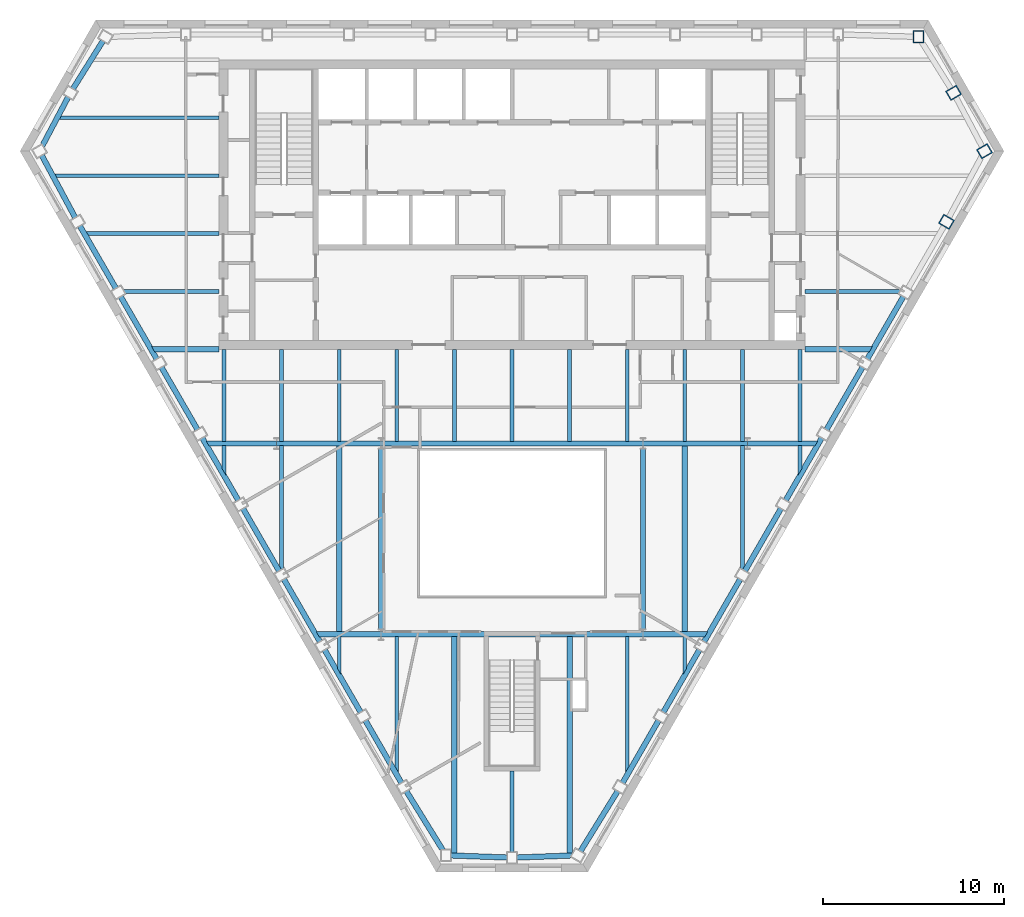
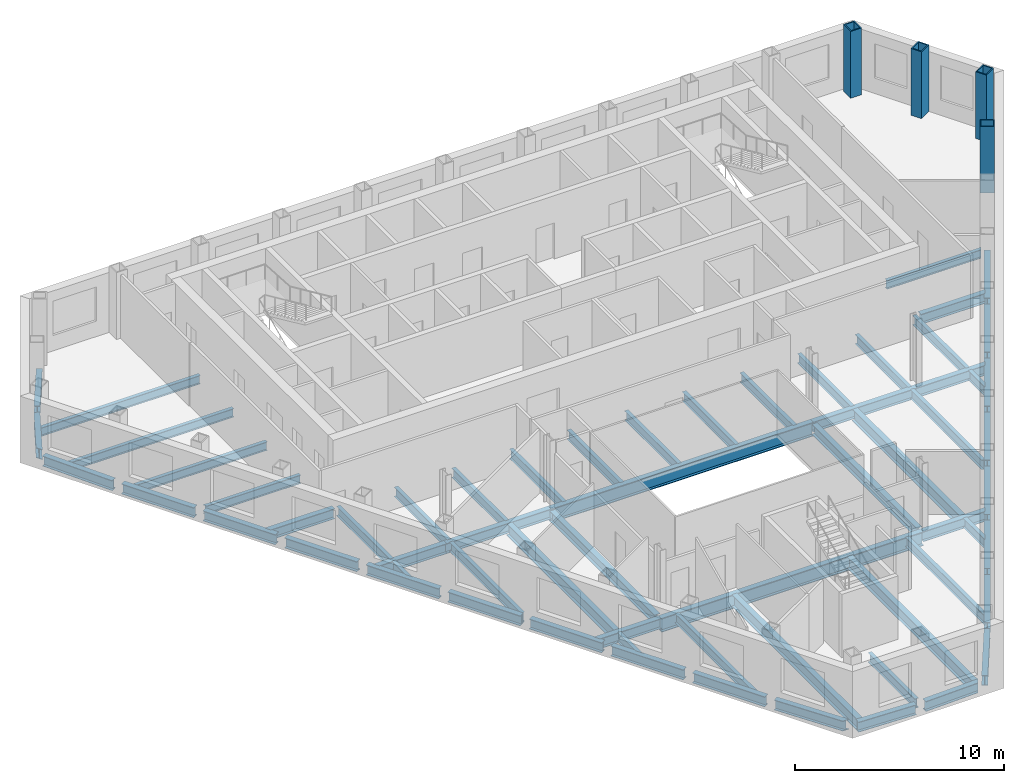
# One storey, part 2 of 10: 63 beams, 4 columns.
"""IFC4 building model written with IfcOpenShell, lengths in metres."""

from ifc_helpers import new_model, si_unit, direction, frame, origin, origin_2d, place, context, subcontext, project, spatial, hollow_rectangle, i_section, extrude, clip, halfspace, material, material_profile, profile_set, type_object, element, save


model = new_model("IFC4")

# Units and contexts
model_context = context("Model", 3, precision=1e-05, world=origin(), true_north=direction((0.0, 1.0)))
body_context = subcontext(model_context, "Body", "Model", "MODEL_VIEW")
ifc_project = project(units=[si_unit("LENGTHUNIT", "METRE"), si_unit("AREAUNIT", "SQUARE_METRE"), si_unit("VOLUMEUNIT", "CUBIC_METRE"), si_unit("PLANEANGLEUNIT", "RADIAN"), si_unit("MASSUNIT", "GRAM", prefix="KILO")], contexts=[model_context])

# Site, building, storey
site_placement = place(None, origin())
site = spatial("IfcSite", under=ifc_project, at=site_placement, CompositionType="ELEMENT")
building_placement = place(site_placement, origin())
building = spatial("IfcBuilding", under=site, at=building_placement, Name="Njiva Tower", CompositionType="ELEMENT")
storey_placement = place(building_placement, frame((0.0, 0.0, 167.1)))
storey = spatial("IfcBuildingStorey", under=building, at=storey_placement, Name="L36", CompositionType="ELEMENT", Elevation=167.1)

# Columns
ifc_material = material(Name="Steel S355 J2", Category="steel")
ifc_material_profile_1 = material_profile(ifc_material, hollow_rectangle(XDim=0.6, YDim=0.7, WallThickness=0.06, at=origin_2d()), Name="BOX 700x600x60")
ifc_profile_set_1 = profile_set([ifc_material_profile_1], Name="Steel S355 J2")
column_type = type_object("IfcColumnType", Name="C9 Perimeter tube column BOX 700x600x60", PredefinedType="COLUMN", material=ifc_profile_set_1)
for number, where, z_axis, x_axis, name in (
    (1, (22.461, 19.267, 0.0), (0.0, 0.0, 1.0), (-1.0, 0.0, 0.0), "Perimeter tube column S12-C01"),
    (2, (24.007, 9.048, 0.0), (0.0, 0.0, 1.0), (0.5, 0.866025403784, 0.0), "Perimeter tube column S12-C34"),
    (3, (26.108, 12.951, 0.0), (0.0, 0.0, 1.0), (-0.5, 0.866025403784, 0.0), "Perimeter tube column S12-C35"),
    (4, (24.4, 16.176, 0.0), (0.0, 0.0, 1.0), (-0.5, 0.866025403784, 0.0), "Perimeter tube column S12-C36"),
):
    element("IfcColumn", number, at=place(storey_placement, frame(where, z_axis=z_axis, x_axis=x_axis)), inside=storey, type_object=column_type, Name=name, PredefinedType="COLUMN", context=body_context, shape_type="SweptSolid", body=[
        extrude(hollow_rectangle(XDim=0.6, YDim=0.7, WallThickness=0.06, at=origin_2d()), origin(), (0.0, 0.0, 1.0), 3.9),
    ])

# Beams
ifc_material_profile_2 = material_profile(ifc_material, i_section(OverallWidth=0.3, OverallDepth=0.69, WebThickness=0.0145, FlangeThickness=0.027, at=origin_2d()), Name="HEA 700")
ifc_profile_set_2 = profile_set([ifc_material_profile_2], Name="Steel S355 J2")
beam_type_1 = type_object("IfcBeamType", Name="B12 Long-span floor joist HEA 700", PredefinedType="JOIST", material=ifc_profile_set_2)
beam_1_placement = place(storey_placement, frame((-9.55, -3.3, -0.545), z_axis=(0.0, -1.0, 0.0), x_axis=(1.0, 0.0, 0.0)))
element("IfcBeam", 5, at=beam_1_placement, inside=storey, type_object=beam_type_1, Name="Long-span floor joist S12-B057", PredefinedType="JOIST", context=body_context, shape_type="SweptSolid", body=[
    extrude(i_section(OverallWidth=0.3, OverallDepth=0.69, WebThickness=0.0145, FlangeThickness=0.027, at=origin_2d()), origin(), (0.0, 0.0, 1.0), 10.35),
])
for number, where, z_axis, x_axis, name in (
    (6, (-3.183, -13.851, -0.545), (0.0, -1.0, 0.0), (1.0, 0.0, 0.0), "Long-span floor joist S12-B061"),
    (7, (3.183, -13.851, -0.545), (0.0, -1.0, 0.0), (1.0, 0.0, 0.0), "Long-span floor joist S12-B066"),
):
    element("IfcBeam", number, at=place(storey_placement, frame(where, z_axis=z_axis, x_axis=x_axis)), inside=storey, type_object=beam_type_1, Name=name, PredefinedType="JOIST", context=body_context, shape_type="SweptSolid", body=[
        extrude(i_section(OverallWidth=0.3, OverallDepth=0.69, WebThickness=0.0145, FlangeThickness=0.027, at=origin_2d()), origin(), (0.0, 0.0, 1.0), 12.016),
    ])
beam_2_placement = place(storey_placement, frame((9.55, -3.3, -0.545), z_axis=(0.0, -1.0, 0.0), x_axis=(1.0, 0.0, 0.0)))
element("IfcBeam", 8, at=beam_2_placement, inside=storey, type_object=beam_type_1, Name="Long-span floor joist S12-B071", PredefinedType="JOIST", context=body_context, shape_type="SweptSolid", body=[
    extrude(i_section(OverallWidth=0.3, OverallDepth=0.69, WebThickness=0.0145, FlangeThickness=0.027, at=origin_2d()), origin(), (0.0, 0.0, 1.0), 10.35),
])
ifc_material_profile_3 = material_profile(ifc_material, i_section(OverallWidth=0.2, OverallDepth=0.5, WebThickness=0.0102, FlangeThickness=0.016, at=origin_2d()), Name="IPE 500")
ifc_profile_set_3 = profile_set([ifc_material_profile_3], Name="Steel S355 J2")
beam_type_2 = type_object("IfcBeamType", Name="B24 Floor beam to the core IPE 500", PredefinedType="BEAM", material=ifc_profile_set_3)
beam_3_placement = place(storey_placement, frame((-21.518, 5.2, -0.45), z_axis=(1.0, 0.0, 0.0), x_axis=(0.0, 1.0, 0.0)))
element("IfcBeam", 9, at=beam_3_placement, inside=storey, type_object=beam_type_2, Name="Floor beam to the core S12-B006", PredefinedType="BEAM", context=body_context, shape_type="Clipping", body=[
    clip(extrude(i_section(OverallWidth=0.2, OverallDepth=0.5, WebThickness=0.0102, FlangeThickness=0.016, at=origin_2d()), origin(), (0.0, 0.0, 1.0), 5.318), halfspace(frame((-0.025, 0.0, 0.0925), z_axis=(-0.499998009787, 0.0, -0.866026552831), x_axis=(0.0, -1.0, 0.0)), False)),
])
beam_4_placement = place(storey_placement, frame((16.2, 5.2, -0.45), z_axis=(1.0, 0.0, 0.0), x_axis=(0.0, 1.0, 0.0)))
element("IfcBeam", 10, at=beam_4_placement, inside=storey, type_object=beam_type_2, Name="Floor beam to the core S12-B007", PredefinedType="BEAM", context=body_context, shape_type="Clipping", body=[
    clip(extrude(i_section(OverallWidth=0.2, OverallDepth=0.5, WebThickness=0.0102, FlangeThickness=0.016, at=origin_2d()), origin(), (0.0, 0.0, 1.0), 5.318), halfspace(frame((-0.025, 0.0, 5.2255), z_axis=(-0.499998009787, 0.0, 0.866026552831), x_axis=(0.0, 1.0, 0.0)), False)),
])
beam_5_placement = place(storey_placement, frame((-23.596, 8.4, -0.45), z_axis=(1.0, 0.0, 0.0), x_axis=(0.0, 1.0, 0.0)))
element("IfcBeam", 11, at=beam_5_placement, inside=storey, type_object=beam_type_2, Name="Floor beam to the core S12-B003", PredefinedType="BEAM", context=body_context, shape_type="Clipping", body=[
    clip(extrude(i_section(OverallWidth=0.2, OverallDepth=0.5, WebThickness=0.0102, FlangeThickness=0.016, at=origin_2d()), origin(), (0.0, 0.0, 1.0), 7.396), halfspace(frame((-0.025, 0.0, 0.0924), z_axis=(-0.499998009787, 0.0, -0.866026552831), x_axis=(0.0, -1.0, 0.0)), False)),
])
beam_6_placement = place(storey_placement, frame((-25.341, 11.6, -0.45), z_axis=(1.0, 0.0, 0.0), x_axis=(0.0, 1.0, 0.0)))
element("IfcBeam", 12, at=beam_6_placement, inside=storey, type_object=beam_type_2, Name="Floor beam to the core S12-B001", PredefinedType="BEAM", context=body_context, shape_type="Clipping", body=[
    clip(extrude(i_section(OverallWidth=0.2, OverallDepth=0.5, WebThickness=0.0102, FlangeThickness=0.016, at=origin_2d()), origin(), (0.0, 0.0, 1.0), 9.141), halfspace(frame((-0.0237, 0.0, 0.0868), z_axis=(-0.473769423091, 0.0, -0.880648927634), x_axis=(0.0, -1.0, 0.0)), False)),
])
beam_7_placement = place(storey_placement, frame((-25.088, 14.8, -0.45), z_axis=(1.0, 0.0, 0.0), x_axis=(0.0, 1.0, 0.0)))
element("IfcBeam", 13, at=beam_7_placement, inside=storey, type_object=beam_type_2, Name="Floor beam to the core S12-B002", PredefinedType="BEAM", context=body_context, shape_type="Clipping", body=[
    clip(extrude(i_section(OverallWidth=0.2, OverallDepth=0.5, WebThickness=0.0102, FlangeThickness=0.016, at=origin_2d()), origin(), (0.0, 0.0, 1.0), 8.888), halfspace(frame((0.0234, 0.0, 0.0852), z_axis=(0.468070575493, 0.0, -0.883691086499), x_axis=(0.0, -1.0, 0.0)), False)),
])
ifc_material_profile_4 = material_profile(ifc_material, i_section(OverallWidth=0.3, OverallDepth=0.59, WebThickness=0.013, FlangeThickness=0.025, at=origin_2d()), Name="HEA 600")
ifc_profile_set_4 = profile_set([ifc_material_profile_4], Name="Steel S355 J2")
beam_type_3 = type_object("IfcBeamType", Name="B27 Short-span spandrel beam HEA 600", PredefinedType="SPANDREL", material=ifc_profile_set_4)
beam_8_placement = place(storey_placement, frame((-22.597, 19.051, -0.495), z_axis=(-0.531172745226, -0.847263545025, 0.0), x_axis=(0.847263545025, -0.531172745226, 0.0)))
element("IfcBeam", 14, at=beam_8_placement, inside=storey, type_object=beam_type_3, Name="Short-span spandrel beam S12-B090", PredefinedType="SPANDREL", context=body_context, shape_type="SweptSolid", body=[
    extrude(i_section(OverallWidth=0.3, OverallDepth=0.59, WebThickness=0.013, FlangeThickness=0.025, at=origin_2d()), origin(), (0.0, 0.0, 1.0), 3.1383),
])
beam_9_placement = place(storey_placement, frame((-24.519, 15.951, -0.495), z_axis=(-0.468008604857, -0.883723908118, 0.0), x_axis=(0.883723908118, -0.468008604857, 0.0)))
element("IfcBeam", 15, at=beam_9_placement, inside=storey, type_object=beam_type_3, Name="Short-span spandrel beam S12-B087", PredefinedType="SPANDREL", context=body_context, shape_type="Clipping", body=[
    clip(extrude(i_section(OverallWidth=0.3, OverallDepth=0.59, WebThickness=0.013, FlangeThickness=0.025, at=origin_2d()), origin(), (0.0, 0.0, 1.0), 3.1545), halfspace(frame((-0.0265, 0.0, 3.0243), z_axis=(-0.53132499881, 0.0, 0.84716807402), x_axis=(0.0, 1.0, 0.0)), False)),
])
beam_10_placement = place(storey_placement, frame((-25.987, 12.728, -0.495), z_axis=(0.473613588101, -0.880732745597, 0.0), x_axis=(0.880732745597, 0.473613588101, 0.0)))
element("IfcBeam", 16, at=beam_10_placement, inside=storey, type_object=beam_type_3, Name="Short-span spandrel beam S12-B086", PredefinedType="SPANDREL", context=body_context, shape_type="SweptSolid", body=[
    extrude(i_section(OverallWidth=0.3, OverallDepth=0.59, WebThickness=0.013, FlangeThickness=0.025, at=origin_2d()), origin(), (0.0, 0.0, 1.0), 3.9251),
])
beam_11_placement = place(storey_placement, frame((-23.882, 8.831, -0.495), z_axis=(0.499924104568, -0.866069217599, 0.0), x_axis=(0.866069217599, 0.499924104568, 0.0)))
element("IfcBeam", 17, at=beam_11_placement, inside=storey, type_object=beam_type_3, Name="Short-span spandrel beam S12-B091", PredefinedType="SPANDREL", context=body_context, shape_type="SweptSolid", body=[
    extrude(i_section(OverallWidth=0.3, OverallDepth=0.59, WebThickness=0.013, FlangeThickness=0.025, at=origin_2d()), origin(), (0.0, 0.0, 1.0), 4.0066),
])
for number, where, z_axis, x_axis, name in (
    (18, (-21.629, 4.928, -0.495), (0.500003221507, -0.866023543838, 0.0), (0.866023543838, 0.500003221507, 0.0), "Short-span spandrel beam S12-B095"),
    (19, (-19.375, 1.024, -0.495), (0.500003221507, -0.866023543838, 0.0), (0.866023543838, 0.500003221507, 0.0), "Short-span spandrel beam S12-B097"),
    (20, (-17.121, -2.88, -0.495), (0.500003221507, -0.866023543838, 0.0), (0.866023543838, 0.500003221507, 0.0), "Short-span spandrel beam S12-B100"),
    (21, (-14.867, -6.784, -0.495), (0.500003221507, -0.866023543838, 0.0), (0.866023543838, 0.500003221507, 0.0), "Short-span spandrel beam S12-B102"),
):
    element("IfcBeam", number, at=place(storey_placement, frame(where, z_axis=z_axis, x_axis=x_axis)), inside=storey, type_object=beam_type_3, Name=name, PredefinedType="SPANDREL", context=body_context, shape_type="SweptSolid", body=[
        extrude(i_section(OverallWidth=0.3, OverallDepth=0.59, WebThickness=0.013, FlangeThickness=0.025, at=origin_2d()), origin(), (0.0, 0.0, 1.0), 4.008),
    ])
beam_12_placement = place(storey_placement, frame((-12.613, -10.688, -0.495), z_axis=(0.499924104568, -0.866069217599, 0.0), x_axis=(0.866069217599, 0.499924104568, 0.0)))
element("IfcBeam", 22, at=beam_12_placement, inside=storey, type_object=beam_type_3, Name="Short-span spandrel beam S12-B105", PredefinedType="SPANDREL", context=body_context, shape_type="SweptSolid", body=[
    extrude(i_section(OverallWidth=0.3, OverallDepth=0.59, WebThickness=0.013, FlangeThickness=0.025, at=origin_2d()), origin(), (0.0, 0.0, 1.0), 4.0066),
])
beam_13_placement = place(storey_placement, frame((-10.36, -14.591, -0.495), z_axis=(0.500003221507, -0.866023543838, 0.0), x_axis=(0.866023543838, 0.500003221507, 0.0)))
element("IfcBeam", 23, at=beam_13_placement, inside=storey, type_object=beam_type_3, Name="Short-span spandrel beam S12-B107", PredefinedType="SPANDREL", context=body_context, shape_type="SweptSolid", body=[
    extrude(i_section(OverallWidth=0.3, OverallDepth=0.59, WebThickness=0.013, FlangeThickness=0.025, at=origin_2d()), origin(), (0.0, 0.0, 1.0), 4.008),
])
beam_14_placement = place(storey_placement, frame((-8.106, -18.494, -0.495), z_axis=(0.499895202697, -0.866085900082, 0.0), x_axis=(0.866085900082, 0.499895202697, 0.0)))
element("IfcBeam", 24, at=beam_14_placement, inside=storey, type_object=beam_type_3, Name="Short-span spandrel beam S12-B111", PredefinedType="SPANDREL", context=body_context, shape_type="SweptSolid", body=[
    extrude(i_section(OverallWidth=0.3, OverallDepth=0.59, WebThickness=0.013, FlangeThickness=0.025, at=origin_2d()), origin(), (0.0, 0.0, 1.0), 4.0088),
])
beam_15_placement = place(storey_placement, frame((-5.844, -22.398, -0.495), z_axis=(0.525787720345, -0.850615819941, 0.0), x_axis=(0.850615819941, 0.525787720345, 0.0)))
element("IfcBeam", 25, at=beam_15_placement, inside=storey, type_object=beam_type_3, Name="Short-span spandrel beam S12-B113", PredefinedType="SPANDREL", context=body_context, shape_type="Clipping", body=[
    clip(extrude(i_section(OverallWidth=0.3, OverallDepth=0.59, WebThickness=0.013, FlangeThickness=0.025, at=origin_2d()), origin(), (0.0, 0.0, 1.0), 3.9396), halfspace(frame((-0.0259, 0.0, 3.8107), z_axis=(-0.525787720345, 0.0, 0.850615819941), x_axis=(0.0, 1.0, 0.0)), False)),
])
beam_16_placement = place(storey_placement, frame((-3.391, -25.962, -0.495), z_axis=(0.999328299253, -0.036646286484, 0.0), x_axis=(0.036646286484, 0.999328299253, 0.0)))
element("IfcBeam", 26, at=beam_16_placement, inside=storey, type_object=beam_type_3, Name="Short-span spandrel beam S12-B117", PredefinedType="SPANDREL", context=body_context, shape_type="SweptSolid", body=[
    extrude(i_section(OverallWidth=0.3, OverallDepth=0.59, WebThickness=0.013, FlangeThickness=0.025, at=origin_2d()), origin(), (0.0, 0.0, 1.0), 3.1381),
])
beam_17_placement = place(storey_placement, frame((0.255, -26.077, -0.495), z_axis=(0.999332745469, 0.036524838573, 0.0), x_axis=(-0.036524838573, 0.999332745469, 0.0)))
element("IfcBeam", 27, at=beam_17_placement, inside=storey, type_object=beam_type_3, Name="Short-span spandrel beam S12-B118", PredefinedType="SPANDREL", context=body_context, shape_type="Clipping", body=[
    clip(extrude(i_section(OverallWidth=0.3, OverallDepth=0.59, WebThickness=0.013, FlangeThickness=0.025, at=origin_2d()), origin(), (0.0, 0.0, 1.0), 3.153), halfspace(frame((-0.0262, 0.0, 3.0227), z_axis=(-0.531295863892, 0.0, 0.847186346096), x_axis=(0.0, 1.0, 0.0)), False)),
])
beam_18_placement = place(storey_placement, frame((3.78, -25.737, -0.495), z_axis=(0.525801990436, 0.850606999062, 0.0), x_axis=(-0.850606999062, 0.525801990436, 0.0)))
element("IfcBeam", 28, at=beam_18_placement, inside=storey, type_object=beam_type_3, Name="Short-span spandrel beam S12-B122", PredefinedType="SPANDREL", context=body_context, shape_type="SweptSolid", body=[
    extrude(i_section(OverallWidth=0.3, OverallDepth=0.59, WebThickness=0.013, FlangeThickness=0.025, at=origin_2d()), origin(), (0.0, 0.0, 1.0), 3.9254),
])
beam_19_placement = place(storey_placement, frame((6.102, -21.966, -0.495), z_axis=(0.499895202697, 0.866085900082, 0.0), x_axis=(-0.866085900082, 0.499895202697, 0.0)))
element("IfcBeam", 29, at=beam_19_placement, inside=storey, type_object=beam_type_3, Name="Short-span spandrel beam S12-B126", PredefinedType="SPANDREL", context=body_context, shape_type="SweptSolid", body=[
    extrude(i_section(OverallWidth=0.3, OverallDepth=0.59, WebThickness=0.013, FlangeThickness=0.025, at=origin_2d()), origin(), (0.0, 0.0, 1.0), 4.0088),
])
beam_20_placement = place(storey_placement, frame((8.356, -18.062, -0.495), z_axis=(0.500003221507, 0.866023543838, 0.0), x_axis=(-0.866023543838, 0.500003221507, 0.0)))
element("IfcBeam", 30, at=beam_20_placement, inside=storey, type_object=beam_type_3, Name="Short-span spandrel beam S12-B128", PredefinedType="SPANDREL", context=body_context, shape_type="SweptSolid", body=[
    extrude(i_section(OverallWidth=0.3, OverallDepth=0.59, WebThickness=0.013, FlangeThickness=0.025, at=origin_2d()), origin(), (0.0, 0.0, 1.0), 4.008),
])
beam_21_placement = place(storey_placement, frame((10.61, -14.158, -0.495), z_axis=(0.499924104568, 0.866069217599, 0.0), x_axis=(-0.866069217599, 0.499924104568, 0.0)))
element("IfcBeam", 31, at=beam_21_placement, inside=storey, type_object=beam_type_3, Name="Short-span spandrel beam S12-B131", PredefinedType="SPANDREL", context=body_context, shape_type="SweptSolid", body=[
    extrude(i_section(OverallWidth=0.3, OverallDepth=0.59, WebThickness=0.013, FlangeThickness=0.025, at=origin_2d()), origin(), (0.0, 0.0, 1.0), 4.0066),
])
for number, where, z_axis, x_axis, name in (
    (32, (12.863, -10.255, -0.495), (0.500003221507, 0.866023543838, 0.0), (-0.866023543838, 0.500003221507, 0.0), "Short-span spandrel beam S12-B133"),
    (33, (15.117, -6.351, -0.495), (0.500003221507, 0.866023543838, 0.0), (-0.866023543838, 0.500003221507, 0.0), "Short-span spandrel beam S12-B136"),
    (34, (17.371, -2.447, -0.495), (0.500003221507, 0.866023543838, 0.0), (-0.866023543838, 0.500003221507, 0.0), "Short-span spandrel beam S12-B138"),
    (35, (19.625, 1.457, -0.495), (0.500003221507, 0.866023543838, 0.0), (-0.866023543838, 0.500003221507, 0.0), "Short-span spandrel beam S12-B142"),
):
    element("IfcBeam", number, at=place(storey_placement, frame(where, z_axis=z_axis, x_axis=x_axis)), inside=storey, type_object=beam_type_3, Name=name, PredefinedType="SPANDREL", context=body_context, shape_type="SweptSolid", body=[
        extrude(i_section(OverallWidth=0.3, OverallDepth=0.59, WebThickness=0.013, FlangeThickness=0.025, at=origin_2d()), origin(), (0.0, 0.0, 1.0), 4.008),
    ])
ifc_material_profile_5 = material_profile(ifc_material, i_section(OverallWidth=0.3, OverallDepth=0.59, WebThickness=0.013, FlangeThickness=0.025, at=origin_2d()), Name="HEA 600")
ifc_profile_set_5 = profile_set([ifc_material_profile_5], Name="Steel S355 J2")
beam_type_4 = type_object("IfcBeamType", Name="B28 Floor girder HEA 600", PredefinedType="BEAM", material=ifc_profile_set_5)
for number, where, z_axis, x_axis, name in (
    (36, (-13.0, -3.2, -0.495), (1.0, 0.0, 0.0), (0.0, 1.0, 0.0), "Floor girder S12-B015"),
    (37, (7.24, -3.2, -0.495), (1.0, 0.0, 0.0), (0.0, 1.0, 0.0), "Floor girder S12-B018"),
):
    element("IfcBeam", number, at=place(storey_placement, frame(where, z_axis=z_axis, x_axis=x_axis)), inside=storey, type_object=beam_type_4, Name=name, PredefinedType="BEAM", context=body_context, shape_type="SweptSolid", body=[
        extrude(i_section(OverallWidth=0.3, OverallDepth=0.59, WebThickness=0.013, FlangeThickness=0.025, at=origin_2d()), origin(), (0.0, 0.0, 1.0), 5.76),
    ])
ifc_material_profile_6 = material_profile(ifc_material, i_section(OverallWidth=0.3, OverallDepth=0.59, WebThickness=0.013, FlangeThickness=0.025, at=origin_2d()), Name="HEA 600")
ifc_profile_set_6 = profile_set([ifc_material_profile_6], Name="Steel S355 J2")
beam_type_5 = type_object("IfcBeamType", Name="B29 Short-span floor girder HEA 600", PredefinedType="BEAM", material=ifc_profile_set_6)
beam_22_placement = place(storey_placement, frame((-16.928, -3.2, -0.495), z_axis=(1.0, 0.0, 0.0), x_axis=(0.0, 1.0, 0.0)))
element("IfcBeam", 38, at=beam_22_placement, inside=storey, type_object=beam_type_5, Name="Short-span floor girder S12-B014", PredefinedType="BEAM", context=body_context, shape_type="Clipping", body=[
    clip(extrude(i_section(OverallWidth=0.3, OverallDepth=0.59, WebThickness=0.013, FlangeThickness=0.025, at=origin_2d()), origin(), (0.0, 0.0, 1.0), 3.928), halfspace(frame((-0.025, 0.0, 0.1217), z_axis=(-0.499998009787, 0.0, -0.866026552831), x_axis=(0.0, -1.0, 0.0)), False)),
])
beam_23_placement = place(storey_placement, frame((13.0, -3.2, -0.495), z_axis=(1.0, 0.0, 0.0), x_axis=(0.0, 1.0, 0.0)))
element("IfcBeam", 39, at=beam_23_placement, inside=storey, type_object=beam_type_5, Name="Short-span floor girder S12-B019", PredefinedType="BEAM", context=body_context, shape_type="Clipping", body=[
    clip(extrude(i_section(OverallWidth=0.3, OverallDepth=0.59, WebThickness=0.013, FlangeThickness=0.025, at=origin_2d()), origin(), (0.0, 0.0, 1.0), 3.928), halfspace(frame((-0.025, 0.0, 3.8063), z_axis=(-0.499998009787, 0.0, 0.866026552831), x_axis=(0.0, 1.0, 0.0)), False)),
])
beam_24_placement = place(storey_placement, frame((-10.837, -13.75, -0.495), z_axis=(1.0, 0.0, 0.0), x_axis=(0.0, 1.0, 0.0)))
element("IfcBeam", 40, at=beam_24_placement, inside=storey, type_object=beam_type_5, Name="Short-span floor girder S12-B016", PredefinedType="BEAM", context=body_context, shape_type="Clipping", body=[
    clip(extrude(i_section(OverallWidth=0.3, OverallDepth=0.59, WebThickness=0.013, FlangeThickness=0.025, at=origin_2d()), origin(), (0.0, 0.0, 1.0), 3.597), halfspace(frame((-0.025, 0.0, 0.1217), z_axis=(-0.499998009787, 0.0, -0.866026552831), x_axis=(0.0, -1.0, 0.0)), False)),
])
beam_25_placement = place(storey_placement, frame((7.24, -13.75, -0.495), z_axis=(1.0, 0.0, 0.0), x_axis=(0.0, 1.0, 0.0)))
element("IfcBeam", 41, at=beam_25_placement, inside=storey, type_object=beam_type_5, Name="Short-span floor girder S12-B017", PredefinedType="BEAM", context=body_context, shape_type="Clipping", body=[
    clip(extrude(i_section(OverallWidth=0.3, OverallDepth=0.59, WebThickness=0.013, FlangeThickness=0.025, at=origin_2d()), origin(), (0.0, 0.0, 1.0), 3.597), halfspace(frame((-0.025, 0.0, 3.4753), z_axis=(-0.499998009787, 0.0, 0.866026552831), x_axis=(0.0, 1.0, 0.0)), False)),
])
beam_26_placement = place(storey_placement, frame((-19.93, 2.0, -0.495), z_axis=(1.0, 0.0, 0.0), x_axis=(0.0, 1.0, 0.0)))
element("IfcBeam", 42, at=beam_26_placement, inside=storey, type_object=beam_type_5, Name="Short-span floor girder S12-B013", PredefinedType="BEAM", context=body_context, shape_type="Clipping", body=[
    clip(extrude(i_section(OverallWidth=0.3, OverallDepth=0.59, WebThickness=0.013, FlangeThickness=0.025, at=origin_2d()), origin(), (0.0, 0.0, 1.0), 3.73), halfspace(frame((-0.025, 0.0, 0.1214), z_axis=(-0.499998009787, 0.0, -0.866026552831), x_axis=(0.0, -1.0, 0.0)), False)),
])
beam_27_placement = place(storey_placement, frame((16.2, 2.0, -0.495), z_axis=(1.0, 0.0, 0.0), x_axis=(0.0, 1.0, 0.0)))
element("IfcBeam", 43, at=beam_27_placement, inside=storey, type_object=beam_type_5, Name="Short-span floor girder S12-B020", PredefinedType="BEAM", context=body_context, shape_type="Clipping", body=[
    clip(extrude(i_section(OverallWidth=0.3, OverallDepth=0.59, WebThickness=0.013, FlangeThickness=0.025, at=origin_2d()), origin(), (0.0, 0.0, 1.0), 3.73), halfspace(frame((-0.025, 0.0, 3.6086), z_axis=(-0.499998009787, 0.0, 0.866026552831), x_axis=(0.0, 1.0, 0.0)), False)),
])
ifc_material_profile_7 = material_profile(ifc_material, i_section(OverallWidth=0.3, OverallDepth=0.59, WebThickness=0.013, FlangeThickness=0.025, at=origin_2d()), Name="HEA 600")
ifc_profile_set_7 = profile_set([ifc_material_profile_7], Name="Steel S355 J2")
beam_type_6 = type_object("IfcBeamType", Name="B30 Long-span atrium trimmer beam HEA 600", PredefinedType="BEAM", material=ifc_profile_set_7)
for number, where, z_axis, x_axis, name in (
    (44, (7.24, -13.49, -0.495), (0.0, 1.0, 0.0), (-1.0, 0.0, 0.0), "Long-span atrium trimmer beam S12-B084"),
    (45, (-7.24, -3.46, -0.495), (0.0, -1.0, 0.0), (1.0, 0.0, 0.0), "Long-span atrium trimmer beam S12-B081"),
):
    element("IfcBeam", number, at=place(storey_placement, frame(where, z_axis=z_axis, x_axis=x_axis)), inside=storey, type_object=beam_type_6, Name=name, PredefinedType="BEAM", context=body_context, shape_type="SweptSolid", body=[
        extrude(i_section(OverallWidth=0.3, OverallDepth=0.59, WebThickness=0.013, FlangeThickness=0.025, at=origin_2d()), origin(), (0.0, 0.0, 1.0), 10.03),
    ])
ifc_material_profile_8 = material_profile(ifc_material, i_section(OverallWidth=0.21, OverallDepth=0.55, WebThickness=0.0111, FlangeThickness=0.0172, at=origin_2d()), Name="IPE 550")
ifc_profile_set_8 = profile_set([ifc_material_profile_8], Name="Steel S355 J2")
beam_type_7 = type_object("IfcBeamType", Name="B31 Short-span floor joist IPE 550", PredefinedType="JOIST", material=ifc_profile_set_8)
beam_28_placement = place(storey_placement, frame((-15.917, -3.3, -0.475), z_axis=(0.0, -1.0, 0.0), x_axis=(1.0, 0.0, 0.0)))
element("IfcBeam", 46, at=beam_28_placement, inside=storey, type_object=beam_type_7, Name="Short-span floor joist S12-B051", PredefinedType="JOIST", context=body_context, shape_type="Clipping", body=[
    clip(extrude(i_section(OverallWidth=0.21, OverallDepth=0.55, WebThickness=0.0111, FlangeThickness=0.0172, at=origin_2d()), origin(), (0.0, 0.0, 1.0), 1.668), halfspace(frame((-0.043, 0.0, 1.391), z_axis=(-0.866026552831, 0.0, 0.499998009787), x_axis=(0.0, 1.0, 0.0)), False)),
])
beam_29_placement = place(storey_placement, frame((-9.55, -13.85, -0.475), z_axis=(0.0, -1.0, 0.0), x_axis=(1.0, 0.0, 0.0)))
element("IfcBeam", 47, at=beam_29_placement, inside=storey, type_object=beam_type_7, Name="Short-span floor joist S12-B056", PredefinedType="JOIST", context=body_context, shape_type="Clipping", body=[
    clip(extrude(i_section(OverallWidth=0.21, OverallDepth=0.55, WebThickness=0.0111, FlangeThickness=0.0172, at=origin_2d()), origin(), (0.0, 0.0, 1.0), 2.145), halfspace(frame((-0.0433, 0.0, 1.8683), z_axis=(-0.866026552831, 0.0, 0.499998009787), x_axis=(0.0, 1.0, 0.0)), False)),
])
beam_30_placement = place(storey_placement, frame((0.0, -21.3, -0.475), z_axis=(0.0, -1.0, 0.0), x_axis=(1.0, 0.0, 0.0)))
element("IfcBeam", 48, at=beam_30_placement, inside=storey, type_object=beam_type_7, Name="Short-span floor joist S12-B064", PredefinedType="JOIST", context=body_context, shape_type="SweptSolid", body=[
    extrude(i_section(OverallWidth=0.21, OverallDepth=0.55, WebThickness=0.0111, FlangeThickness=0.0172, at=origin_2d()), origin(), (0.0, 0.0, 1.0), 4.486),
])
beam_31_placement = place(storey_placement, frame((9.55, -13.85, -0.475), z_axis=(0.0, -1.0, 0.0), x_axis=(1.0, 0.0, 0.0)))
element("IfcBeam", 49, at=beam_31_placement, inside=storey, type_object=beam_type_7, Name="Short-span floor joist S12-B070", PredefinedType="JOIST", context=body_context, shape_type="Clipping", body=[
    clip(extrude(i_section(OverallWidth=0.21, OverallDepth=0.55, WebThickness=0.0111, FlangeThickness=0.0172, at=origin_2d()), origin(), (0.0, 0.0, 1.0), 2.145), halfspace(frame((0.0433, 0.0, 1.8683), z_axis=(0.866026552831, 0.0, 0.499998009787), x_axis=(0.0, 1.0, 0.0)), False)),
])
beam_32_placement = place(storey_placement, frame((15.917, -3.3, -0.475), z_axis=(0.0, -1.0, 0.0), x_axis=(1.0, 0.0, 0.0)))
element("IfcBeam", 50, at=beam_32_placement, inside=storey, type_object=beam_type_7, Name="Short-span floor joist S12-B076", PredefinedType="JOIST", context=body_context, shape_type="Clipping", body=[
    clip(extrude(i_section(OverallWidth=0.21, OverallDepth=0.55, WebThickness=0.0111, FlangeThickness=0.0172, at=origin_2d()), origin(), (0.0, 0.0, 1.0), 1.668), halfspace(frame((0.043, 0.0, 1.391), z_axis=(0.866026552831, 0.0, 0.499998009787), x_axis=(0.0, 1.0, 0.0)), False)),
])
ifc_material_profile_9 = material_profile(ifc_material, i_section(OverallWidth=0.21, OverallDepth=0.55, WebThickness=0.0111, FlangeThickness=0.0172, at=origin_2d()), Name="IPE 550")
ifc_profile_set_9 = profile_set([ifc_material_profile_9], Name="Steel S355 J2")
beam_type_8 = type_object("IfcBeamType", Name="B32 Floor joist IPE 550", PredefinedType="JOIST", material=ifc_profile_set_9)
for number, where, z_axis, x_axis, name in (
    (51, (-15.917, 1.995, -0.475), (0.0, -1.0, 0.0), (1.0, 0.0, 0.0), "Floor joist S12-B052"),
    (52, (-12.733, 1.995, -0.475), (0.0, -1.0, 0.0), (1.0, 0.0, 0.0), "Floor joist S12-B055"),
):
    element("IfcBeam", number, at=place(storey_placement, frame(where, z_axis=z_axis, x_axis=x_axis)), inside=storey, type_object=beam_type_8, Name=name, PredefinedType="JOIST", context=body_context, shape_type="SweptSolid", body=[
        extrude(i_section(OverallWidth=0.21, OverallDepth=0.55, WebThickness=0.0111, FlangeThickness=0.0172, at=origin_2d()), origin(), (0.0, 0.0, 1.0), 5.095),
    ])
beam_33_placement = place(storey_placement, frame((-12.733, -3.3, -0.475), z_axis=(0.0, -1.0, 0.0), x_axis=(1.0, 0.0, 0.0)))
element("IfcBeam", 53, at=beam_33_placement, inside=storey, type_object=beam_type_8, Name="Floor joist S12-B054", PredefinedType="JOIST", context=body_context, shape_type="Clipping", body=[
    clip(extrude(i_section(OverallWidth=0.21, OverallDepth=0.55, WebThickness=0.0111, FlangeThickness=0.0172, at=origin_2d()), origin(), (0.0, 0.0, 1.0), 6.961), halfspace(frame((0.0247, 0.0, 6.8652), z_axis=(0.499998009787, 0.0, 0.866026552831), x_axis=(0.0, 1.0, 0.0)), False)),
])
beam_34_placement = place(storey_placement, frame((-9.55, 1.995, -0.475), z_axis=(0.0, -1.0, 0.0), x_axis=(1.0, 0.0, 0.0)))
element("IfcBeam", 54, at=beam_34_placement, inside=storey, type_object=beam_type_8, Name="Floor joist S12-B058", PredefinedType="JOIST", context=body_context, shape_type="SweptSolid", body=[
    extrude(i_section(OverallWidth=0.21, OverallDepth=0.55, WebThickness=0.0111, FlangeThickness=0.0172, at=origin_2d()), origin(), (0.0, 0.0, 1.0), 5.095),
])
beam_35_placement = place(storey_placement, frame((-6.367, 1.995, -0.475), z_axis=(0.0, -1.0, 0.0), x_axis=(1.0, 0.0, 0.0)))
element("IfcBeam", 55, at=beam_35_placement, inside=storey, type_object=beam_type_8, Name="Floor joist S12-B060", PredefinedType="JOIST", context=body_context, shape_type="SweptSolid", body=[
    extrude(i_section(OverallWidth=0.21, OverallDepth=0.55, WebThickness=0.0111, FlangeThickness=0.0172, at=origin_2d()), origin(), (0.0, 0.0, 1.0), 5.094),
])
beam_36_placement = place(storey_placement, frame((-6.367, -13.851, -0.475), z_axis=(0.0, -1.0, 0.0), x_axis=(1.0, 0.0, 0.0)))
element("IfcBeam", 56, at=beam_36_placement, inside=storey, type_object=beam_type_8, Name="Floor joist S12-B059", PredefinedType="JOIST", context=body_context, shape_type="Clipping", body=[
    clip(extrude(i_section(OverallWidth=0.21, OverallDepth=0.55, WebThickness=0.0111, FlangeThickness=0.0172, at=origin_2d()), origin(), (0.0, 0.0, 1.0), 7.658), halfspace(frame((-0.043, 0.0, 7.381), z_axis=(-0.866026552831, 0.0, 0.499998009787), x_axis=(0.0, 1.0, 0.0)), False)),
])
for number, where, z_axis, x_axis, name in (
    (57, (-3.183, 1.995, -0.475), (0.0, -1.0, 0.0), (1.0, 0.0, 0.0), "Floor joist S12-B062"),
    (58, (0.0, 1.995, -0.475), (0.0, -1.0, 0.0), (1.0, 0.0, 0.0), "Floor joist S12-B065"),
    (59, (3.183, 1.995, -0.475), (0.0, -1.0, 0.0), (1.0, 0.0, 0.0), "Floor joist S12-B067"),
    (60, (6.367, 1.995, -0.475), (0.0, -1.0, 0.0), (1.0, 0.0, 0.0), "Floor joist S12-B069"),
):
    element("IfcBeam", number, at=place(storey_placement, frame(where, z_axis=z_axis, x_axis=x_axis)), inside=storey, type_object=beam_type_8, Name=name, PredefinedType="JOIST", context=body_context, shape_type="SweptSolid", body=[
        extrude(i_section(OverallWidth=0.21, OverallDepth=0.55, WebThickness=0.0111, FlangeThickness=0.0172, at=origin_2d()), origin(), (0.0, 0.0, 1.0), 5.094),
    ])
beam_37_placement = place(storey_placement, frame((6.367, -13.851, -0.475), z_axis=(0.0, -1.0, 0.0), x_axis=(1.0, 0.0, 0.0)))
element("IfcBeam", 61, at=beam_37_placement, inside=storey, type_object=beam_type_8, Name="Floor joist S12-B068", PredefinedType="JOIST", context=body_context, shape_type="Clipping", body=[
    clip(extrude(i_section(OverallWidth=0.21, OverallDepth=0.55, WebThickness=0.0111, FlangeThickness=0.0172, at=origin_2d()), origin(), (0.0, 0.0, 1.0), 7.658), halfspace(frame((0.043, 0.0, 7.381), z_axis=(0.866026552831, 0.0, 0.499998009787), x_axis=(0.0, 1.0, 0.0)), False)),
])
for number, where, z_axis, x_axis, name in (
    (62, (9.55, 1.995, -0.475), (0.0, -1.0, 0.0), (1.0, 0.0, 0.0), "Floor joist S12-B072"),
    (63, (12.733, 1.995, -0.475), (0.0, -1.0, 0.0), (1.0, 0.0, 0.0), "Floor joist S12-B075"),
):
    element("IfcBeam", number, at=place(storey_placement, frame(where, z_axis=z_axis, x_axis=x_axis)), inside=storey, type_object=beam_type_8, Name=name, PredefinedType="JOIST", context=body_context, shape_type="SweptSolid", body=[
        extrude(i_section(OverallWidth=0.21, OverallDepth=0.55, WebThickness=0.0111, FlangeThickness=0.0172, at=origin_2d()), origin(), (0.0, 0.0, 1.0), 5.095),
    ])
beam_38_placement = place(storey_placement, frame((12.733, -3.3, -0.475), z_axis=(0.0, -1.0, 0.0), x_axis=(1.0, 0.0, 0.0)))
element("IfcBeam", 64, at=beam_38_placement, inside=storey, type_object=beam_type_8, Name="Floor joist S12-B074", PredefinedType="JOIST", context=body_context, shape_type="Clipping", body=[
    clip(extrude(i_section(OverallWidth=0.21, OverallDepth=0.55, WebThickness=0.0111, FlangeThickness=0.0172, at=origin_2d()), origin(), (0.0, 0.0, 1.0), 6.961), halfspace(frame((-0.0247, 0.0, 6.8652), z_axis=(-0.499998009787, 0.0, 0.866026552831), x_axis=(0.0, 1.0, 0.0)), False)),
])
beam_39_placement = place(storey_placement, frame((15.917, 1.995, -0.475), z_axis=(0.0, -1.0, 0.0), x_axis=(1.0, 0.0, 0.0)))
element("IfcBeam", 65, at=beam_39_placement, inside=storey, type_object=beam_type_8, Name="Floor joist S12-B077", PredefinedType="JOIST", context=body_context, shape_type="SweptSolid", body=[
    extrude(i_section(OverallWidth=0.21, OverallDepth=0.55, WebThickness=0.0111, FlangeThickness=0.0172, at=origin_2d()), origin(), (0.0, 0.0, 1.0), 5.095),
])
ifc_material_profile_10 = material_profile(ifc_material, i_section(OverallWidth=0.303, OverallDepth=0.814, WebThickness=0.021, FlangeThickness=0.04, at=origin_2d()), Name="HEM 800")
ifc_profile_set_10 = profile_set([ifc_material_profile_10], Name="Steel S355 J2")
beam_type_9 = type_object("IfcBeamType", Name="B36 Long-span atrium trimmer beam HEM 800", PredefinedType="BEAM", material=ifc_profile_set_10)
for number, where, z_axis, x_axis, name in (
    (66, (-7.24, -13.75, -0.607), (1.0, 0.0, 0.0), (0.0, 1.0, 0.0), "Long-span atrium trimmer beam S12-B080"),
    (67, (7.24, -3.2, -0.607), (-1.0, 0.0, 0.0), (0.0, -1.0, 0.0), "Long-span atrium trimmer beam S12-B082"),
):
    element("IfcBeam", number, at=place(storey_placement, frame(where, z_axis=z_axis, x_axis=x_axis)), inside=storey, type_object=beam_type_9, Name=name, PredefinedType="BEAM", context=body_context, shape_type="SweptSolid", body=[
        extrude(i_section(OverallWidth=0.303, OverallDepth=0.814, WebThickness=0.021, FlangeThickness=0.04, at=origin_2d()), origin(), (0.0, 0.0, 1.0), 14.48),
    ])

save(model, "model.ifc")
